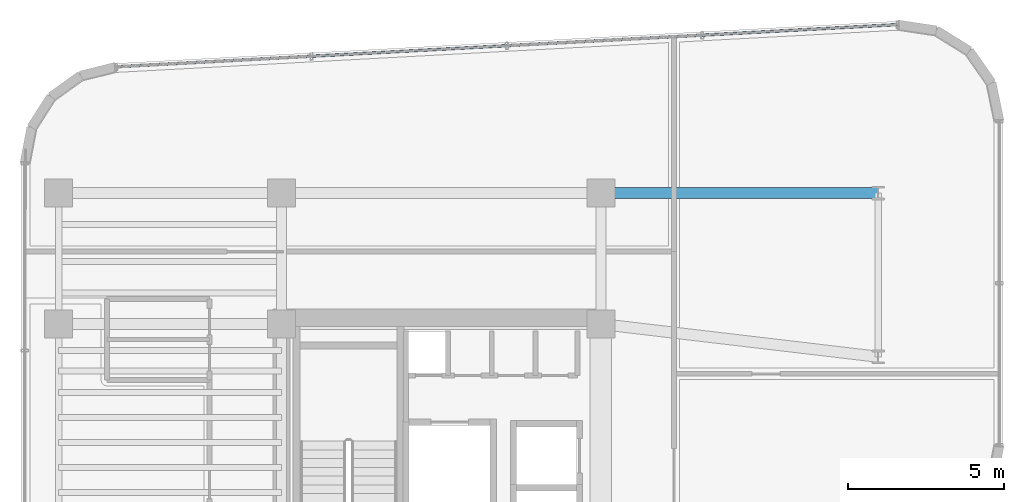
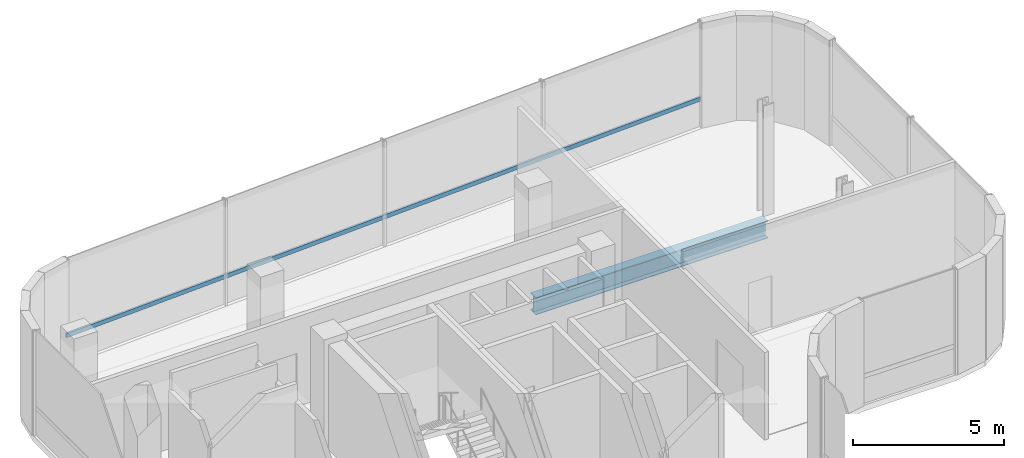
# One storey, part 10 of 17: 1 beam, 1 member, 1 element without a shape of its own.
"""IFC4 building model written with IfcOpenShell, lengths in metres."""

from ifc_helpers import new_model, si_unit, direction, frame, origin, origin_2d, place, context, subcontext, project, spatial, hollow_rectangle, i_section, extrude, source, transform, mapped, material, material_profile, profile_set, type_object, element, aggregate, save


model = new_model("IFC4")

# Units and contexts
model_context = context("Model", 3, precision=1e-05, world=origin(), true_north=direction((0.0, 1.0)))
body_context = subcontext(model_context, "Body", "Model", "MODEL_VIEW")
ifc_project = project(units=[si_unit("LENGTHUNIT", "METRE"), si_unit("AREAUNIT", "SQUARE_METRE"), si_unit("VOLUMEUNIT", "CUBIC_METRE"), si_unit("PLANEANGLEUNIT", "RADIAN"), si_unit("MASSUNIT", "GRAM", prefix="KILO")], contexts=[model_context])

# Site, building, storey
site_placement = place(None, origin())
site = spatial("IfcSite", under=ifc_project, at=site_placement, CompositionType="ELEMENT")
building_placement = place(site_placement, origin())
building = spatial("IfcBuilding", under=site, at=building_placement, Name="Valdorenza Pilgrim Sanctuary Tower", CompositionType="ELEMENT")
storey_placement = place(building_placement, frame((0.0, 0.0, 201.0)))
storey = spatial("IfcBuildingStorey", under=building, at=storey_placement, Name="L51", CompositionType="ELEMENT", Elevation=201.0)

# Beam
ifc_material_1 = material(Name="Steel ASTM A992 Grade 50", Category="steel")
ifc_material_profile_1 = material_profile(ifc_material_1, i_section(OverallWidth=0.35595703125, OverallDepth=0.700927734375, WebThickness=0.016845703125, FlangeThickness=0.02734375, at=origin_2d()), Name="W27X161")
ifc_profile_set_1 = profile_set([ifc_material_profile_1], Name="Steel ASTM A992 Grade 50")
beam_type = type_object("IfcBeamType", Name="STR-BM-GRD-W27", PredefinedType="BEAM", material=ifc_profile_set_1)
shared_shape_1 = source(origin(), body_context, "Body", "SweptSolid", [
    extrude(i_section(OverallWidth=0.35595703125, OverallDepth=0.700927734375, WebThickness=0.016845703125, FlangeThickness=0.02734375, at=origin_2d()), origin(), (0.0, 0.0, 1.0), 8.89990234375),
])
beam_placement = place(storey_placement, frame((-12.39990234375, 14.800048828125, -0.590576171875), z_axis=(1.0, 0.0, 0.0), x_axis=(0.0, 1.0, 0.0)))
element("IfcBeam", 1, at=beam_placement, inside=storey, type_object=beam_type, Name="L51 Floor Girder UWA-KG2", PredefinedType="BEAM", context=body_context, shape_type="MappedRepresentation", body=[
    mapped(shared_shape_1, transform((0.0, 0.0, 0.0), x_axis=(1.0, 0.0, 0.0), y_axis=(0.0, 1.0, 0.0), z_axis=(0.0, 0.0, 1.0), scale=1.0)),
])

# Curtain wall, member
ifc_material_2 = material(Name="Curtain-wall IGU glazing", Category="glass")
curtain_wall_type = type_object("IfcCurtainWallType", Name="CW-SYS-04", PredefinedType="NOTDEFINED", material=ifc_material_2)
curtain_wall_placement = place(storey_placement, origin())
curtain_wall = element("IfcCurtainWall", 2, at=curtain_wall_placement, inside=storey, type_object=curtain_wall_type, Name="L51 Curtain Wall CW-L51-1-6", PredefinedType="NOTDEFINED")
ifc_material_3 = material(Name="Anodised aluminium AW-6060", Category="aluminium")
ifc_material_profile_2 = material_profile(ifc_material_3, hollow_rectangle(XDim=0.080078125, YDim=0.169921875, WallThickness=0.00390625, at=origin_2d()), Name="ALU-T 170x80x4")
ifc_profile_set_2 = profile_set([ifc_material_profile_2], Name="Anodised aluminium AW-6060")
member_type = type_object("IfcMemberType", Name="CW-TRN-04", PredefinedType="USERDEFINED", material=ifc_profile_set_2)
shared_shape_2 = source(origin(), body_context, "Body", "SweptSolid", [
    extrude(hollow_rectangle(XDim=0.080078125, YDim=0.169921875, WallThickness=0.00390625, at=origin_2d()), origin(), (0.0, 0.0, 1.0), 25.114990234375),
])
member_placement = place(storey_placement, frame((-27.9560546875, 18.85400390625, 1.1201171875), z_axis=(0.998546716184, 0.053893001378, 0.0), x_axis=(-0.053893001378, 0.998546716184, 0.0)))
member = element("IfcMember", 3, at=member_placement, type_object=member_type, Name="CW-L51-1-6 Transom 1", ObjectType="TRANSOM", PredefinedType="USERDEFINED", context=body_context, shape_type="MappedRepresentation", body=[
    mapped(shared_shape_2, transform((0.0, 0.0, 0.0), x_axis=(1.0, 0.0, 0.0), y_axis=(0.0, 1.0, 0.0), z_axis=(0.0, 0.0, 1.0), scale=1.0)),
])
aggregate(curtain_wall, [member])

save(model, "model.ifc")
